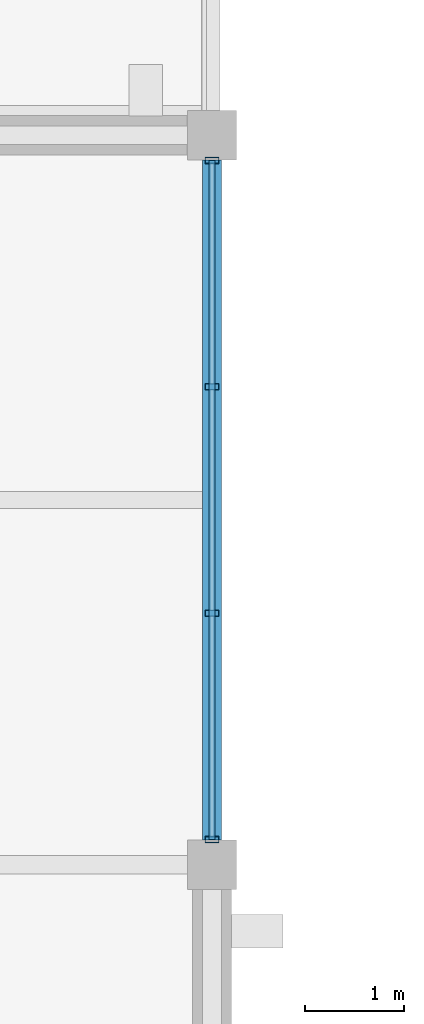
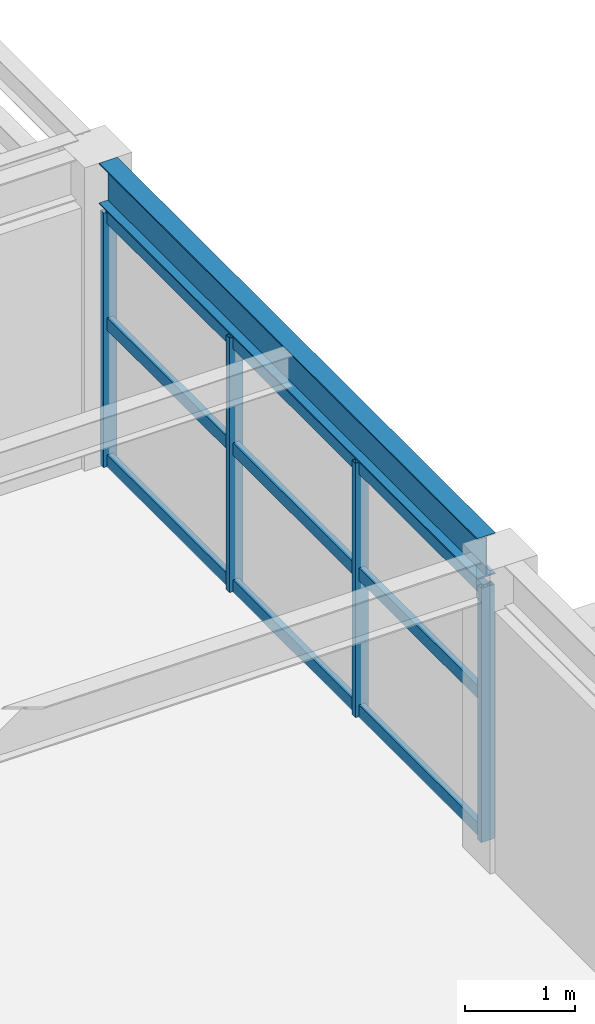
# One storey, part 69 of 93: 7 members, 1 beam, 1 element without a shape of its own.
"""IFC4 building model written with IfcOpenShell, lengths in metres."""

from ifc_helpers import new_model, si_unit, direction, frame, origin, origin_2d, place, context, subcontext, project, spatial, hollow_rectangle, i_section, extrude, material, material_profile, profile_set, type_object, element, aggregate, save


model = new_model("IFC4")

# Units and contexts
model_context = context("Model", 3, precision=1e-05, world=origin(), true_north=direction((0.0, 1.0)))
body_context = subcontext(model_context, "Body", "Model", "MODEL_VIEW")
ifc_project = project(units=[si_unit("LENGTHUNIT", "METRE"), si_unit("AREAUNIT", "SQUARE_METRE"), si_unit("VOLUMEUNIT", "CUBIC_METRE"), si_unit("PLANEANGLEUNIT", "RADIAN"), si_unit("MASSUNIT", "GRAM", prefix="KILO")], contexts=[model_context])

# Site, building, storey
site_placement = place(None, origin())
site = spatial("IfcSite", under=ifc_project, at=site_placement, CompositionType="ELEMENT")
building_placement = place(site_placement, origin())
building = spatial("IfcBuilding", under=site, at=building_placement, Name="Cimatlan Art Gallery", CompositionType="ELEMENT")
storey_placement = place(building_placement, frame((0.0, 0.0, 13.800048828125)))
storey = spatial("IfcBuildingStorey", under=building, at=storey_placement, Name="L03", CompositionType="ELEMENT", Elevation=13.800048828125)

# Beam
ifc_material_1 = material(Name="Steel ASTM A992 Grade 50", Category="steel")
ifc_material_profile_1 = material_profile(ifc_material_1, i_section(OverallWidth=0.19091796875, OverallDepth=0.45703125, WebThickness=0.009033203125, FlangeThickness=0.014404296875, at=origin_2d()), Name="W18X50")
ifc_profile_set_1 = profile_set([ifc_material_profile_1], Name="Steel ASTM A992 Grade 50")
beam_type = type_object("IfcBeamType", Name="BM-STL-W18X50", PredefinedType="BEAM", material=ifc_profile_set_1)
beam_placement = place(storey_placement, frame((131.60009765625, 61.14990234375, 3.1513671875), z_axis=(0.0, 1.0, 0.0), x_axis=(-1.0, 0.0, 0.0)))
element("IfcBeam", 1, at=beam_placement, inside=storey, type_object=beam_type, Name="BM-Y-L03-16-08", PredefinedType="BEAM", context=body_context, shape_type="SweptSolid", body=[
    extrude(i_section(OverallWidth=0.19091796875, OverallDepth=0.45703125, WebThickness=0.009033203125, FlangeThickness=0.014404296875, at=origin_2d()), origin(), (0.0, 0.0, 1.0), 6.900146484375),
])

# Curtain wall, members
ifc_material_2 = material(Name="Anodised bronze unitised curtain wall")
curtain_wall_type = type_object("IfcCurtainWallType", Name="CW-V-06892X02833-B3", PredefinedType="NOTDEFINED", material=ifc_material_2)
curtain_wall_placement = place(storey_placement, origin())
curtain_wall = element("IfcCurtainWall", 2, at=curtain_wall_placement, inside=storey, type_object=curtain_wall_type, Name="CW-L03-15-08-E", PredefinedType="NOTDEFINED")
ifc_material_3 = material(Name="Anodised bronze aluminium 6063-T6", Category="aluminium")
ifc_material_profile_2 = material_profile(ifc_material_3, hollow_rectangle(XDim=0.06494140625, YDim=0.139892578125, WallThickness=0.00390625, at=origin_2d()), Name="ALU65X140X4")
ifc_profile_set_2 = profile_set([ifc_material_profile_2], Name="Anodised bronze aluminium 6063-T6")
member_type_1 = type_object("IfcMemberType", Name="CW-MUL-140", PredefinedType="MULLION", material=ifc_profile_set_2)
member_1_placement = place(storey_placement, frame((131.60009765625, 68.0458984375, 0.0), z_axis=(0.0, 0.0, 1.0), x_axis=(0.0, 1.0, 0.0)))
member_1 = element("IfcMember", 3, at=member_1_placement, type_object=member_type_1, Name="CW-L03-15-08-E-M1", PredefinedType="MULLION", context=body_context, shape_type="SweptSolid", body=[
    extrude(hollow_rectangle(XDim=0.06494140625, YDim=0.139892578125, WallThickness=0.00390625, at=origin_2d()), origin(), (0.0, 0.0, 1.0), 2.8330078125),
])
member_2_placement = place(storey_placement, frame((131.60009765625, 65.748779296875, 0.0), z_axis=(0.0, 0.0, 1.0), x_axis=(0.0, 1.0, 0.0)))
member_2 = element("IfcMember", 4, at=member_2_placement, type_object=member_type_1, Name="CW-L03-15-08-E-M2", PredefinedType="MULLION", context=body_context, shape_type="SweptSolid", body=[
    extrude(hollow_rectangle(XDim=0.06494140625, YDim=0.139892578125, WallThickness=0.00390625, at=origin_2d()), origin(), (0.0, 0.0, 1.0), 2.8330078125),
])
member_3_placement = place(storey_placement, frame((131.60009765625, 63.451416015625, 0.0), z_axis=(0.0, 0.0, 1.0), x_axis=(0.0, 1.0, 0.0)))
member_3 = element("IfcMember", 5, at=member_3_placement, type_object=member_type_1, Name="CW-L03-15-08-E-M3", PredefinedType="MULLION", context=body_context, shape_type="SweptSolid", body=[
    extrude(hollow_rectangle(XDim=0.06494140625, YDim=0.139892578125, WallThickness=0.00390625, at=origin_2d()), origin(), (0.0, 0.0, 1.0), 2.8330078125),
])
member_4_placement = place(storey_placement, frame((131.60009765625, 61.154052734375, 0.0), z_axis=(0.0, 0.0, 1.0), x_axis=(0.0, 1.0, 0.0)))
member_4 = element("IfcMember", 6, at=member_4_placement, type_object=member_type_1, Name="CW-L03-15-08-E-M4", PredefinedType="MULLION", context=body_context, shape_type="SweptSolid", body=[
    extrude(hollow_rectangle(XDim=0.06494140625, YDim=0.139892578125, WallThickness=0.00390625, at=origin_2d()), origin(), (0.0, 0.0, 1.0), 2.8330078125),
])
ifc_material_profile_3 = material_profile(ifc_material_3, hollow_rectangle(XDim=0.06494140625, YDim=0.139892578125, WallThickness=0.00390625, at=origin_2d()), Name="ALU65X140X4")
ifc_profile_set_3 = profile_set([ifc_material_profile_3], Name="Anodised bronze aluminium 6063-T6")
member_type_2 = type_object("IfcMemberType", Name="CW-TRN-140", PredefinedType="USERDEFINED", material=ifc_profile_set_3)
member_5_placement = place(storey_placement, frame((131.60009765625, 68.0458984375, 0.06005859375), z_axis=(0.0, -1.0, 0.0), x_axis=(1.0, 0.0, 0.0)))
member_5 = element("IfcMember", 7, at=member_5_placement, type_object=member_type_2, Name="CW-L03-15-08-E-T1", ObjectType="TRANSOM", PredefinedType="USERDEFINED", context=body_context, shape_type="SweptSolid", body=[
    extrude(hollow_rectangle(XDim=0.06494140625, YDim=0.139892578125, WallThickness=0.00390625, at=origin_2d()), origin(), (0.0, 0.0, 1.0), 6.891845703125),
])
member_6_placement = place(storey_placement, frame((131.60009765625, 68.0458984375, 1.58642578125), z_axis=(0.0, -1.0, 0.0), x_axis=(1.0, 0.0, 0.0)))
member_6 = element("IfcMember", 8, at=member_6_placement, type_object=member_type_2, Name="CW-L03-15-08-E-T2", ObjectType="TRANSOM", PredefinedType="USERDEFINED", context=body_context, shape_type="SweptSolid", body=[
    extrude(hollow_rectangle(XDim=0.06494140625, YDim=0.139892578125, WallThickness=0.00390625, at=origin_2d()), origin(), (0.0, 0.0, 1.0), 6.891845703125),
])
member_7_placement = place(storey_placement, frame((131.60009765625, 68.0458984375, 2.77294921875), z_axis=(0.0, -1.0, 0.0), x_axis=(1.0, 0.0, 0.0)))
member_7 = element("IfcMember", 9, at=member_7_placement, type_object=member_type_2, Name="CW-L03-15-08-E-T3", ObjectType="TRANSOM", PredefinedType="USERDEFINED", context=body_context, shape_type="SweptSolid", body=[
    extrude(hollow_rectangle(XDim=0.06494140625, YDim=0.139892578125, WallThickness=0.00390625, at=origin_2d()), origin(), (0.0, 0.0, 1.0), 6.891845703125),
])
aggregate(curtain_wall, [member_1, member_2, member_3, member_4, member_5, member_6, member_7])

save(model, "model.ifc")
